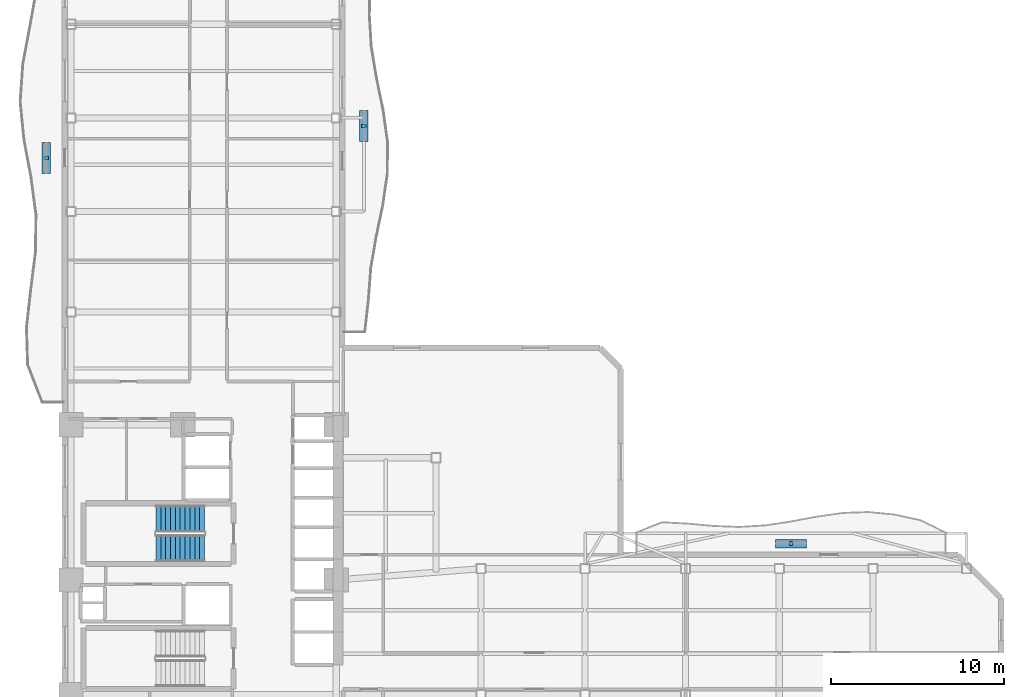
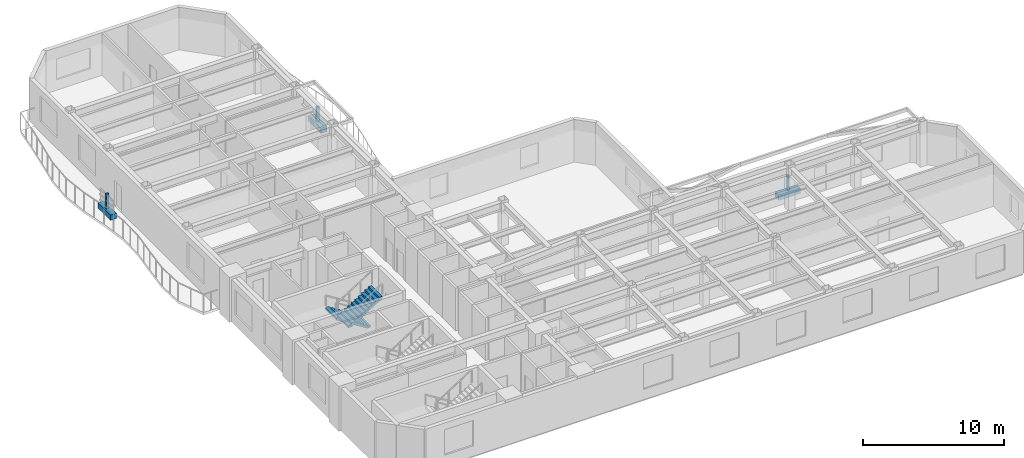
# One storey, part 7 of 10: 6 discrete accessories, 2 stair flights, 1 element without a shape of its own.
"""IFC4 building model written with IfcOpenShell, lengths in metres."""

from ifc_helpers import new_model, si_unit, direction, frame, origin, origin_2d, place, context, subcontext, project, spatial, polyline, rectangle, outline, extrude, material, type_object, element, aggregate, save


model = new_model("IFC4")

# Units and contexts
model_context = context("Model", 3, precision=1e-05, world=origin(), true_north=direction((0.0, 1.0)))
body_context = subcontext(model_context, "Body", "Model", "MODEL_VIEW")
ifc_project = project(units=[si_unit("LENGTHUNIT", "METRE"), si_unit("AREAUNIT", "SQUARE_METRE"), si_unit("VOLUMEUNIT", "CUBIC_METRE"), si_unit("PLANEANGLEUNIT", "RADIAN"), si_unit("MASSUNIT", "GRAM", prefix="KILO")], contexts=[model_context])

# Site, building, storey
site_placement = place(None, origin())
site = spatial("IfcSite", under=ifc_project, at=site_placement, CompositionType="ELEMENT")
building_placement = place(site_placement, origin())
building = spatial("IfcBuilding", under=site, at=building_placement, Name="Mawjaban Terraces University", CompositionType="ELEMENT")
storey_placement = place(building_placement, frame((0.0, 0.0, 46.60009765625)))
storey = spatial("IfcBuildingStorey", under=building, at=storey_placement, Name="L10", CompositionType="ELEMENT", Elevation=46.60009765625)

# Stair, stair flights
ifc_material_1 = material(Name="Concrete C40/50", Category="concrete")
stair_type = type_object("IfcStairType", Name="Stair_Core1550_H39", PredefinedType="HALF_TURN_STAIR", material=ifc_material_1)
stair_placement = place(storey_placement, origin())
stair = element("IfcStair", 1, at=stair_placement, inside=storey, type_object=stair_type, Name="L10 Core Exit Stair 2", PredefinedType="HALF_TURN_STAIR")
stair_flight_type = type_object("IfcStairFlightType", Name="Flight_Core1550_H39", PredefinedType="STRAIGHT", material=ifc_material_1)
stair_flight_1_placement = place(storey_placement, frame((30.050048828125, 18.074951171875, 0.0), z_axis=(0.0, 0.0, 1.0), x_axis=(-1.0, 0.0, 0.0)))
stair_flight_1 = element("IfcStairFlight", 2, at=stair_flight_1_placement, type_object=stair_flight_type, Name="ST-2 flight 1", NumberOfRisers=11, NumberOfTreads=10, PredefinedType="STRAIGHT", RiserHeight=0.177272727, TreadLength=0.28, context=body_context, shape_type="SweptSolid", body=[
    extrude(outline(polyline([(0.0, 0.0), (0.0, 0.17724609375), (0.280029296875, 0.17724609375), (0.280029296875, 0.3544921875), (0.56005859375, 0.3544921875), (0.56005859375, 0.53173828125), (0.840087890625, 0.53173828125), (0.840087890625, 0.708984375), (1.1201171875, 0.708984375), (1.1201171875, 0.886474609375), (1.39990234375, 0.886474609375), (1.39990234375, 1.063720703125), (1.679931640625, 1.063720703125), (1.679931640625, 1.240966796875), (1.9599609375, 1.240966796875), (1.9599609375, 1.418212890625), (2.239990234375, 1.418212890625), (2.239990234375, 1.595458984375), (2.52001953125, 1.595458984375), (2.52001953125, 1.772705078125), (2.800048828125, 1.772705078125), (2.800048828125, 1.949951171875), (2.800048828125, 1.59521484375), (0.2802734375, 0.0), (0.0, 0.0)])), frame((0.0, 0.77490234375, 0.0), z_axis=(0.0, -1.0, 0.0), x_axis=(1.0, 0.0, 0.0)), (0.0, 0.0, 1.0), 1.550048828125),
])
stair_flight_2_placement = place(storey_placement, frame((27.25, 16.375, 1.949951171875), z_axis=(0.0, 0.0, 1.0), x_axis=(1.0, 0.0, 0.0)))
stair_flight_2 = element("IfcStairFlight", 3, at=stair_flight_2_placement, type_object=stair_flight_type, Name="ST-2 flight 2", NumberOfRisers=11, NumberOfTreads=10, PredefinedType="STRAIGHT", RiserHeight=0.177272727, TreadLength=0.28, context=body_context, shape_type="SweptSolid", body=[
    extrude(outline(polyline([(0.0, 0.0), (0.0, 0.17724609375), (0.280029296875, 0.17724609375), (0.280029296875, 0.3544921875), (0.56005859375, 0.3544921875), (0.56005859375, 0.53173828125), (0.840087890625, 0.53173828125), (0.840087890625, 0.708984375), (1.1201171875, 0.708984375), (1.1201171875, 0.886474609375), (1.39990234375, 0.886474609375), (1.39990234375, 1.063720703125), (1.679931640625, 1.063720703125), (1.679931640625, 1.240966796875), (1.9599609375, 1.240966796875), (1.9599609375, 1.418212890625), (2.239990234375, 1.418212890625), (2.239990234375, 1.595458984375), (2.52001953125, 1.595458984375), (2.52001953125, 1.772705078125), (2.800048828125, 1.772705078125), (2.800048828125, 1.949951171875), (2.800048828125, 1.59521484375), (0.2802734375, 0.0), (0.0, 0.0)])), frame((0.0, 0.77490234375, 0.0), z_axis=(0.0, -1.0, 0.0), x_axis=(1.0, 0.0, 0.0)), (0.0, 0.0, 1.0), 1.550048828125),
])
aggregate(stair, [stair_flight_1, stair_flight_2])

# Discrete accessories
ifc_material_2 = material(Name="Stainless steel 316L", Category="steel")
discrete_accessory_type_1 = type_object("IfcDiscreteAccessoryType", Name="FacadeScreenBracket_Steel", PredefinedType="BRACKET", material=ifc_material_2)
for number, where, z_axis, x_axis, name in (
    (4, (20.928955078125, 38.883056640625, 0.419921875), (0.0, 0.0, 1.0), (0.0, 1.0, 0.0), "L10 Balcony Screen Support Bracket west"),
    (5, (63.875, 16.64501953125, 0.419921875), (0.0, 0.0, 1.0), (1.0, 0.0, 0.0), "L10 Balcony Screen Support Bracket inner_north"),
    (6, (39.238037109375, 40.738037109375, 0.419921875), (0.0, 0.0, 1.0), (0.0, 1.0, 0.0), "L10 Balcony Screen Support Bracket inner_east"),
):
    element("IfcDiscreteAccessory", number, at=place(storey_placement, frame(where, z_axis=z_axis, x_axis=x_axis)), inside=storey, type_object=discrete_accessory_type_1, Name=name, PredefinedType="BRACKET", context=body_context, shape_type="SweptSolid", body=[
        extrude(rectangle(XDim=0.159912109375, YDim=0.239990234375, at=origin_2d()), origin(), (0.0, 0.0, 1.0), 1.300048828125),
    ])
ifc_material_3 = material(Name="Precast architectural terracotta planter with engineered planting soil", Category="masonry")
discrete_accessory_type_2 = type_object("IfcDiscreteAccessoryType", Name="IrrigatedPlanterTrough_450", PredefinedType="USERDEFINED", material=ifc_material_3)
for number, where, z_axis, x_axis, name in (
    (7, (20.928955078125, 38.883056640625, -0.0048828125), (0.0, 0.0, 1.0), (0.0, 1.0, 0.0), "L10 Balcony Irrigated Planter west"),
    (8, (63.875, 16.64501953125, -0.0048828125), (0.0, 0.0, 1.0), (1.0, 0.0, 0.0), "L10 Balcony Irrigated Planter inner_north"),
    (9, (39.238037109375, 40.738037109375, -0.0048828125), (0.0, 0.0, 1.0), (0.0, 1.0, 0.0), "L10 Balcony Irrigated Planter inner_east"),
):
    element("IfcDiscreteAccessory", number, at=place(storey_placement, frame(where, z_axis=z_axis, x_axis=x_axis)), inside=storey, type_object=discrete_accessory_type_2, Name=name, ObjectType="PLANTER", PredefinedType="USERDEFINED", context=body_context, shape_type="SweptSolid", body=[
        extrude(rectangle(XDim=1.800048828125, YDim=0.5, at=origin_2d()), origin(), (0.0, 0.0, 1.0), 0.449951171875),
    ])

save(model, "model.ifc")
